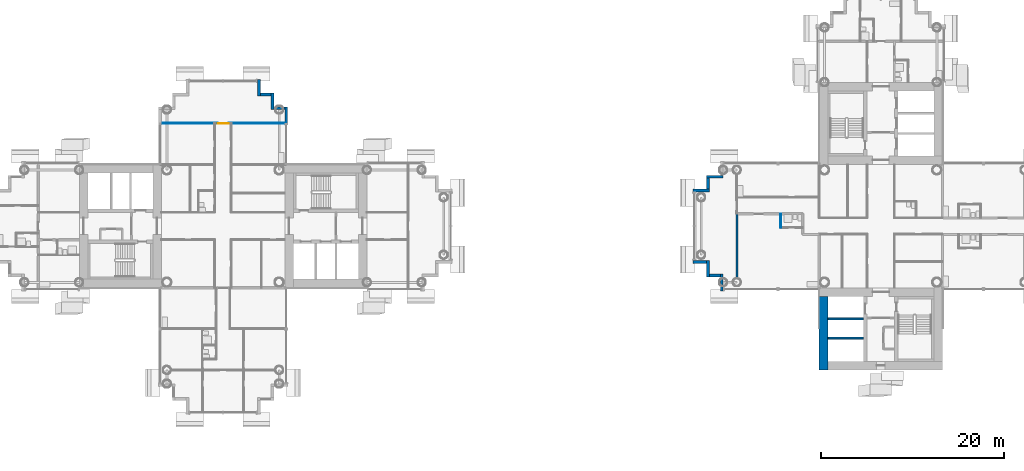
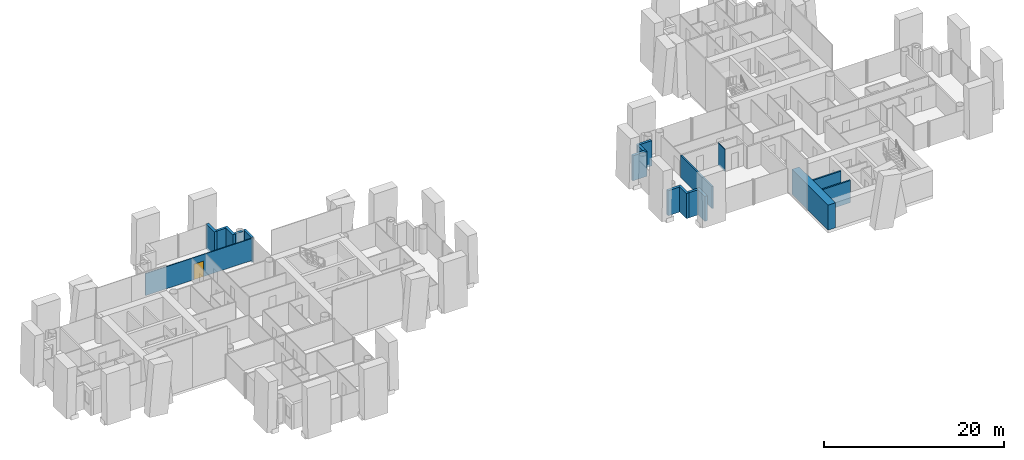
# One storey, part 11 of 21: 18 walls, 1 door, 1 opening.
"""IFC4 building model written with IfcOpenShell, lengths in metres."""

import ifcopenshell
import ifcopenshell.guid

model = None  # the IFC model being written
_history = None  # IfcOwnerHistory: only IFC2X3 demands one
_inside = {}  # id of a spatial element -> (the spatial element, [elements in it])
_under = {}  # id of a project, library or spatial element -> (it, [spatial elements below it])
_declared = {}  # id of a project -> (the project, [libraries it declares])
_typed = {}  # id of a type object -> (the type object, [elements of that type])
_made_of = {}  # id of a material, layer set ... -> (it, [elements and type objects made of it])


def new_model(schema):
    """Start an empty IFC model of exactly this schema.

    Asked for "IFC4X3", IfcOpenShell would pick the latest addendum, in which some entities
    have other attributes; the version numbers below select the first issue.
    IFC2X3 requires an IfcOwnerHistory on every rooted entity: one is made here for all.
    """
    global model, _history
    if schema == "IFC4X3":
        model = ifcopenshell.file(schema_version=(4, 3, 0, 0))
    else:
        model = ifcopenshell.file(schema=schema)
    _inside.clear()
    _under.clear()
    _declared.clear()
    _typed.clear()
    _made_of.clear()
    _history = None
    if model.schema == "IFC2X3":
        org = make("IfcOrganization", Name="unknown")
        user = make(
            "IfcPersonAndOrganization",
            ThePerson=make("IfcPerson", FamilyName="unknown"),
            TheOrganization=org,
        )
        app = make(
            "IfcApplication",
            ApplicationDeveloper=org,
            Version="unknown",
            ApplicationFullName="unknown",
            ApplicationIdentifier="unknown",
        )
        _history = make(
            "IfcOwnerHistory",
            OwningUser=user,
            OwningApplication=app,
            ChangeAction="ADDED",
            CreationDate=0,
        )
    return model


def make(cls, **values):
    """One entity of the class cls with the attributes given. An attribute that is None is left unset."""
    return model.create_entity(
        cls, **{name: value for name, value in values.items() if value is not None}
    )


def rooted(cls, **values):
    """An entity with a GlobalId (a new one), such as an element, a storey or a relation."""
    return make(cls, GlobalId=ifcopenshell.guid.new(), OwnerHistory=_history, **values)


def si_unit(unit_type, name, prefix=None):
    """IfcSIUnit, for example si_unit("LENGTHUNIT", "METRE", prefix="MILLI")."""
    return make("IfcSIUnit", UnitType=unit_type, Prefix=prefix, Name=name)


def assignment(units):
    """IfcUnitAssignment: the units of a project."""
    return None if units is None else make("IfcUnitAssignment", Units=units)


def point(xyz):
    """IfcCartesianPoint."""
    return None if xyz is None else make("IfcCartesianPoint", Coordinates=xyz)


def direction(xyz):
    """IfcDirection."""
    return None if xyz is None else make("IfcDirection", DirectionRatios=xyz)


def frame(location, z_axis=None, x_axis=None):
    """IfcAxis2Placement3D, a coordinate frame: its origin and axes. An axis left out is left unset."""
    return make(
        "IfcAxis2Placement3D",
        Location=point(location),
        Axis=direction(z_axis),
        RefDirection=direction(x_axis),
    )


def frame_2d(location, x_axis=None):
    """IfcAxis2Placement2D, a coordinate frame in the plane: its origin and x axis."""
    return make(
        "IfcAxis2Placement2D", Location=point(location), RefDirection=direction(x_axis)
    )


def origin():
    """The frame at (0, 0, 0) with its axes left unset."""
    return frame((0.0, 0.0, 0.0))


def place(relative_to, where):
    """IfcLocalPlacement: puts the frame where relative to a parent placement (None: the world)."""
    return make(
        "IfcLocalPlacement", PlacementRelTo=relative_to, RelativePlacement=where
    )


def context(
    kind, dimensions, precision=None, world=None, true_north=None, identifier=None
):
    """IfcGeometricRepresentationContext, for example the 3D "Model" context."""
    return make(
        "IfcGeometricRepresentationContext",
        ContextIdentifier=identifier,
        ContextType=kind,
        CoordinateSpaceDimension=dimensions,
        Precision=precision,
        WorldCoordinateSystem=world,
        TrueNorth=true_north,
    )


def subcontext(parent, identifier, kind, view, scale=None):
    """IfcGeometricRepresentationSubContext, for example "Body" below "Model"."""
    return make(
        "IfcGeometricRepresentationSubContext",
        ContextIdentifier=identifier,
        ContextType=kind,
        ParentContext=parent,
        TargetScale=scale,
        TargetView=view,
    )


def project(units=None, contexts=None):
    """IfcProject with its units and contexts."""
    return rooted(
        "IfcProject",
        Name="project",
        RepresentationContexts=contexts,
        UnitsInContext=assignment(units),
    )


def spatial(cls, under=None, at=None, **own):
    """A site, building, storey or space (cls), placed at a placement, below another one or the project."""
    s = rooted(cls, ObjectPlacement=at, **own)
    if under is not None:
        _under.setdefault(under.id(), (under, []))[1].append(s)
    return s


def profile(cls, at=None, kind="AREA", **sizes):
    """A parametric profile (cls). Its sizes go by their IFC names, for example OverallWidth=200.0."""
    return make(cls, ProfileType=kind, Position=at, **sizes)


def rectangle(**sizes):
    """IfcRectangleProfileDef."""
    return profile("IfcRectangleProfileDef", **sizes)


def extrude(swept, where, along, depth):
    """IfcExtrudedAreaSolid: the profile swept, set in the frame where, extruded along a direction by depth."""
    return make(
        "IfcExtrudedAreaSolid",
        SweptArea=swept,
        Position=where,
        ExtrudedDirection=direction(along),
        Depth=depth,
    )


def shape(context_of_items, identifier, shape_type, items):
    """IfcShapeRepresentation: the items that make up one representation, for example the "Body"."""
    return make(
        "IfcShapeRepresentation",
        ContextOfItems=context_of_items,
        RepresentationIdentifier=identifier,
        RepresentationType=shape_type,
        Items=items,
    )


def material(Name=None, Category=None):
    """IfcMaterial."""
    return make("IfcMaterial", Name=Name, Category=Category)


def layer(
    of_material, thickness, ventilated=None, Name=None, Category=None, Priority=None
):
    """IfcMaterialLayer: one layer of a wall or slab, of a material (None: an air gap)."""
    return make(
        "IfcMaterialLayer",
        Material=of_material,
        LayerThickness=thickness,
        IsVentilated=ventilated,
        Name=Name,
        Category=Category,
        Priority=Priority,
    )


def layer_set(layers, Name=None):
    """IfcMaterialLayerSet."""
    return make("IfcMaterialLayerSet", MaterialLayers=layers, LayerSetName=Name)


def made_of(thing, what):
    """Note that an element or type object is made of a material, layer set ...; save() writes the relation."""
    if what is not None:
        _made_of.setdefault(what.id(), (what, []))[1].append(thing)
    return thing


def type_object(cls, material=None, **own):
    """A type object (cls), such as IfcWallType, which elements share."""
    return made_of(rooted(cls, **own), material)


def element(
    cls,
    number,
    at=None,
    inside=None,
    cuts=None,
    type_object=None,
    material=None,
    context=None,
    identifier="Body",
    shape_type=None,
    held_by="IfcProductDefinitionShape",
    body=None,
    shapes=None,
    **own,
):
    """One element of the class cls, such as IfcWall. Its Tag is "e" and its number.

    at: its placement. inside: the storey or other place that contains it. cuts: it is an
    opening in that element (IfcRelVoidsElement). A single representation is given by context,
    identifier, shape_type and body (its items); several are given by shapes. held_by: the class
    of the entity that holds the representations. save() writes the other relations.
    """
    e = rooted(cls, Tag="e%d" % number, ObjectPlacement=at, **own)
    if body is not None:
        shapes = [shape(context, identifier, shape_type, body)]
    if shapes is not None:
        e.Representation = make(held_by, Representations=shapes)
    if inside is not None:
        _inside.setdefault(inside.id(), (inside, []))[1].append(e)
    if cuts is not None:
        rooted(
            "IfcRelVoidsElement", RelatingBuildingElement=cuts, RelatedOpeningElement=e
        )
    if type_object is not None:
        _typed.setdefault(type_object.id(), (type_object, []))[1].append(e)
    return made_of(e, material)


def fill(opening, filler):
    """IfcRelFillsElement: the door or window that sits in an opening."""
    return rooted(
        "IfcRelFillsElement",
        RelatingOpeningElement=opening,
        RelatedBuildingElement=filler,
    )


def aggregate(whole, parts):
    """IfcRelAggregates: a whole, such as a stair, and the parts it consists of."""
    return rooted("IfcRelAggregates", RelatingObject=whole, RelatedObjects=parts)


def save(model, path):
    """Write the relations noted so far, then the file.

    IfcRelAggregates (storeys below a building ...), IfcRelContainedInSpatialStructure (elements
    in a storey), IfcRelDefinesByType, IfcRelAssociatesMaterial and IfcRelDeclares: one each for
    every whole, place, type object, material and project.
    """
    for whole, parts in _under.values():
        aggregate(whole, parts)
    for where, things in _inside.values():
        rooted(
            "IfcRelContainedInSpatialStructure",
            RelatedElements=things,
            RelatingStructure=where,
        )
    for kind, things in _typed.values():
        rooted("IfcRelDefinesByType", RelatedObjects=things, RelatingType=kind)
    for what, things in _made_of.values():
        rooted("IfcRelAssociatesMaterial", RelatedObjects=things, RelatingMaterial=what)
    for by, libraries in _declared.values():
        rooted("IfcRelDeclares", RelatingContext=by, RelatedDefinitions=libraries)
    model.write(path)


model = new_model("IFC4")

# Units and contexts
model_context = context("Model", 3, precision=1e-05, world=origin(), true_north=direction((0.0, 1.0)))
body_context = subcontext(model_context, "Body", "Model", "MODEL_VIEW")
ifc_project = project(units=[si_unit("LENGTHUNIT", "METRE"), si_unit("AREAUNIT", "SQUARE_METRE"), si_unit("VOLUMEUNIT", "CUBIC_METRE"), si_unit("PLANEANGLEUNIT", "RADIAN"), si_unit("MASSUNIT", "GRAM", prefix="KILO")], contexts=[model_context])

# Site, building, storey
site_placement = place(None, origin())
site = spatial("IfcSite", under=ifc_project, at=site_placement, CompositionType="ELEMENT")
building_placement = place(site_placement, origin())
building = spatial("IfcBuilding", under=site, at=building_placement, Name="Ipe Terrace Towers", CompositionType="ELEMENT")
storey_placement = place(building_placement, frame((0.0, 0.0, 93.60009765625)))
storey = spatial("IfcBuildingStorey", under=building, at=storey_placement, Name="L25", CompositionType="ELEMENT", Elevation=93.60009765625)

# Walls
ifc_material_1 = material(Name="Concrete C40/50 with buff precast cladding", Category="concrete")
ifc_layer_1 = layer(ifc_material_1, 0.320068359375)
ifc_layer_set_1 = layer_set([ifc_layer_1], Name="BUFF CLADDING WALL 320")
wall_type_1 = type_object("IfcWallType", Name="BUFF CLADDING WALL 320", PredefinedType="STANDARD", material=ifc_layer_set_1)
wall_1_placement = place(storey_placement, frame((-29.090087890625, 11.25, -0.300048828125), z_axis=(0.0, 0.0, 1.0), x_axis=(0.0, 1.0, 0.0)))
element("IfcWall", 1, at=wall_1_placement, inside=storey, type_object=wall_type_1, Name="T1-W-L25-33a wall", PredefinedType="STANDARD", context=body_context, shape_type="SweptSolid", body=[
    extrude(rectangle(XDim=1.820068359375, YDim=0.320068359375, at=frame_2d((0.91015625, 0.0))), origin(), (0.0, 0.0, 1.0), 3.39990234375),
])
wall_2_placement = place(storey_placement, frame((-29.25, 12.909912109375, -0.300048828125), z_axis=(0.0, 0.0, 1.0), x_axis=(-1.0, 0.0, 0.0)))
element("IfcWall", 2, at=wall_2_placement, inside=storey, type_object=wall_type_1, Name="T1-W-L25-34a wall", PredefinedType="STANDARD", context=body_context, shape_type="SweptSolid", body=[
    extrude(rectangle(XDim=1.179931640625, YDim=0.320068359375, at=frame_2d((0.58984375, 0.0))), origin(), (0.0, 0.0, 1.0), 3.39990234375),
])
wall_3_placement = place(storey_placement, frame((-30.590087890625, 12.75, -0.300048828125), z_axis=(0.0, 0.0, 1.0), x_axis=(0.0, 1.0, 0.0)))
element("IfcWall", 3, at=wall_3_placement, inside=storey, type_object=wall_type_1, Name="T1-W-L25-35a wall", PredefinedType="STANDARD", context=body_context, shape_type="SweptSolid", body=[
    extrude(rectangle(XDim=1.820068359375, YDim=0.320068359375, at=frame_2d((0.91015625, 0.0))), origin(), (0.0, 0.0, 1.0), 3.39990234375),
])
wall_4_placement = place(storey_placement, frame((-30.75, 14.409912109375, -0.300048828125), z_axis=(0.0, 0.0, 1.0), x_axis=(-1.0, 0.0, 0.0)))
element("IfcWall", 4, at=wall_4_placement, inside=storey, type_object=wall_type_1, Name="T1-W-L25-36a wall", PredefinedType="STANDARD", context=body_context, shape_type="SweptSolid", body=[
    extrude(rectangle(XDim=1.179931640625, YDim=0.320068359375, at=frame_2d((0.58984375, 0.0))), origin(), (0.0, 0.0, 1.0), 3.39990234375),
])
for number, where, z_axis, x_axis, name in (
    (5, (-32.090087890625, 14.25, -0.300048828125), (0.0, 0.0, 1.0), (0.0, 1.0, 0.0), "T1-W-L25-37a wall"),
    (6, (18.75, 5.409912109375, -0.300048828125), (0.0, 0.0, 1.0), (-1.0, 0.0, 0.0), "T2-W-L25-31a wall"),
):
    element("IfcWall", number, at=place(storey_placement, frame(where, z_axis=z_axis, x_axis=x_axis)), inside=storey, type_object=wall_type_1, Name=name, PredefinedType="STANDARD", context=body_context, shape_type="SweptSolid", body=[
        extrude(rectangle(XDim=1.820068359375, YDim=0.320068359375, at=frame_2d((0.91015625, 0.0))), origin(), (0.0, 0.0, 1.0), 3.39990234375),
    ])
wall_5_placement = place(storey_placement, frame((17.090087890625, 5.25, -0.300048828125), z_axis=(0.0, 0.0, 1.0), x_axis=(0.0, -1.0, 0.0)))
element("IfcWall", 7, at=wall_5_placement, inside=storey, type_object=wall_type_1, Name="T2-W-L25-32a wall", PredefinedType="STANDARD", context=body_context, shape_type="SweptSolid", body=[
    extrude(rectangle(XDim=1.179931640625, YDim=0.320068359375, at=frame_2d((0.58984375, 0.0))), origin(), (0.0, 0.0, 1.0), 3.39990234375),
])
wall_6_placement = place(storey_placement, frame((17.25, 3.909912109375, -0.300048828125), z_axis=(0.0, 0.0, 1.0), x_axis=(-1.0, 0.0, 0.0)))
element("IfcWall", 8, at=wall_6_placement, inside=storey, type_object=wall_type_1, Name="T2-W-L25-33a wall", PredefinedType="STANDARD", context=body_context, shape_type="SweptSolid", body=[
    extrude(rectangle(XDim=1.820068359375, YDim=0.320068359375, at=frame_2d((0.91015625, 0.0))), origin(), (0.0, 0.0, 1.0), 3.39990234375),
])
wall_7_placement = place(storey_placement, frame((15.429931640625, -3.909912109375, -0.300048828125), z_axis=(0.0, 0.0, 1.0), x_axis=(1.0, 0.0, 0.0)))
element("IfcWall", 9, at=wall_7_placement, inside=storey, type_object=wall_type_1, Name="T2-W-L25-35a wall", PredefinedType="STANDARD", context=body_context, shape_type="SweptSolid", body=[
    extrude(rectangle(XDim=1.5, YDim=0.320068359375, at=frame_2d((0.75, 0.0))), origin(), (0.0, 0.0, 1.0), 3.39990234375),
])
wall_8_placement = place(storey_placement, frame((17.090087890625, -3.75, -0.300048828125), z_axis=(0.0, 0.0, 1.0), x_axis=(0.0, -1.0, 0.0)))
element("IfcWall", 10, at=wall_8_placement, inside=storey, type_object=wall_type_1, Name="T2-W-L25-36a wall", PredefinedType="STANDARD", context=body_context, shape_type="SweptSolid", body=[
    extrude(rectangle(XDim=1.820068359375, YDim=0.320068359375, at=frame_2d((0.91015625, 0.0))), origin(), (0.0, 0.0, 1.0), 3.39990234375),
])
wall_9_placement = place(storey_placement, frame((17.25, -5.409912109375, -0.300048828125), z_axis=(0.0, 0.0, 1.0), x_axis=(1.0, 0.0, 0.0)))
element("IfcWall", 11, at=wall_9_placement, inside=storey, type_object=wall_type_1, Name="T2-W-L25-37a wall", PredefinedType="STANDARD", context=body_context, shape_type="SweptSolid", body=[
    extrude(rectangle(XDim=1.179931640625, YDim=0.320068359375, at=frame_2d((0.58984375, 0.0))), origin(), (0.0, 0.0, 1.0), 3.39990234375),
])
wall_10_placement = place(storey_placement, frame((18.590087890625, -5.25, -0.300048828125), z_axis=(0.0, 0.0, 1.0), x_axis=(0.0, -1.0, 0.0)))
element("IfcWall", 12, at=wall_10_placement, inside=storey, type_object=wall_type_1, Name="T2-W-L25-38a wall", PredefinedType="STANDARD", context=body_context, shape_type="SweptSolid", body=[
    extrude(rectangle(XDim=1.820068359375, YDim=0.320068359375, at=frame_2d((0.91015625, 0.0))), origin(), (0.0, 0.0, 1.0), 3.39990234375),
])

# Wall, opening, door
ifc_material_2 = material(Name="Gypsum board partition", Category="plasterboard")
ifc_layer_2 = layer(ifc_material_2, 0.10009765625)
ifc_layer_set_2 = layer_set([ifc_layer_2], Name="Gypsum board partition 100 mm")
wall_type_2 = type_object("IfcWallType", Name="Gypsum board partition 100 mm", PredefinedType="PARTITIONING", material=ifc_layer_set_2)
wall_11_placement = place(storey_placement, frame((-42.85009765625, 11.25, 0.0), z_axis=(0.0, 0.0, 1.0), x_axis=(1.0, 0.0, 0.0)))
wall_11 = element("IfcWall", 13, at=wall_11_placement, inside=storey, type_object=wall_type_2, Name="Gypsum board partition T1 L25 W38", PredefinedType="PARTITIONING", context=body_context, shape_type="SweptSolid", body=[
    extrude(rectangle(XDim=13.7001953125, YDim=0.10009765625, at=frame_2d((6.85009765625, 0.0))), origin(), (0.0, 0.0, 1.0), 3.0),
])
opening_placement = place(wall_11_placement, frame((6.25, 0.0, 0.0)))
opening = element("IfcOpeningElement", 14, at=opening_placement, cuts=wall_11, Name="Opening T1-Z2C-11", PredefinedType="OPENING", context=body_context, shape_type="SweptSolid", body=[
    extrude(rectangle(XDim=1.199951171875, YDim=2.10009765625, at=frame_2d((0.60009765625, 1.050048828125))), frame((0.0, 0.06005859375, 0.0), z_axis=(0.0, -1.0, 0.0), x_axis=(1.0, 0.0, 0.0)), (0.0, 0.0, 1.0), 0.1201171875),
])
ifc_material_3 = material(Name="Timber door leaf", Category="wood")
door_type = type_object("IfcDoorType", Name="Lounge door 1200 x 2100", OperationType="NOTDEFINED", PredefinedType="DOOR", material=ifc_material_3)
door_placement = place(opening_placement, origin())
door = element("IfcDoor", 15, at=door_placement, inside=storey, type_object=door_type, Name="Lounge door T1-Z2C-11", OperationType="SINGLE_SWING_LEFT", OverallHeight=2.10009765625, OverallWidth=1.199951171875, PredefinedType="DOOR", context=body_context, shape_type="SweptSolid", body=[
    extrude(rectangle(XDim=1.199951171875, YDim=2.10009765625, at=frame_2d((0.60009765625, 1.050048828125))), frame((0.0, 0.02490234375, 0.0), z_axis=(0.0, -1.0, 0.0), x_axis=(1.0, 0.0, 0.0)), (0.0, 0.0, 1.0), 0.050048828125),
])
fill(opening, door)

# Walls
wall_12_placement = place(storey_placement, frame((25.050048828125, -0.14990234375, 0.0), z_axis=(0.0, 0.0, 1.0), x_axis=(0.0, 1.0, 0.0)))
element("IfcWall", 16, at=wall_12_placement, inside=storey, type_object=wall_type_2, Name="Gypsum board partition T2 L25 W43", PredefinedType="PARTITIONING", context=body_context, shape_type="SweptSolid", body=[
    extrude(rectangle(XDim=1.5, YDim=0.10009765625, at=frame_2d((0.75, 0.0))), origin(), (0.0, 0.0, 1.0), 3.0),
])
ifc_material_4 = material(Name="Gypsum board party wall", Category="plasterboard")
ifc_layer_3 = layer(ifc_material_4, 0.199951171875)
ifc_layer_set_3 = layer_set([ifc_layer_3], Name="Gypsum board party wall 200 mm")
wall_type_3 = type_object("IfcWallType", Name="Gypsum board party wall 200 mm", PredefinedType="SOLIDWALL", material=ifc_layer_set_3)
for number, where, z_axis, x_axis, name in (
    (17, (30.199951171875, -10.14990234375, 0.0), (0.0, 0.0, 1.0), (1.0, 0.0, 0.0), "Gypsum board party wall T2 L25 t2c2-shaft-div1"),
    (18, (30.199951171875, -12.25, 0.0), (0.0, 0.0, 1.0), (1.0, 0.0, 0.0), "Gypsum board party wall T2 L25 t2c2-shaft-div2"),
):
    element("IfcWall", number, at=place(storey_placement, frame(where, z_axis=z_axis, x_axis=x_axis)), inside=storey, type_object=wall_type_3, Name=name, PredefinedType="SOLIDWALL", context=body_context, shape_type="SweptSolid", body=[
        extrude(rectangle(XDim=3.900146484375, YDim=0.199951171875, at=frame_2d((1.9501953125, 0.0))), origin(), (0.0, 0.0, 1.0), 3.0),
    ])
wall_13_placement = place(storey_placement, frame((20.25, -5.699951171875, 0.0), z_axis=(0.0, 0.0, 1.0), x_axis=(0.0, 1.0, 0.0)))
element("IfcWall", 19, at=wall_13_placement, inside=storey, type_object=wall_type_3, Name="Gypsum board party wall T2 L25 W45", PredefinedType="SOLIDWALL", context=body_context, shape_type="SweptSolid", body=[
    extrude(rectangle(XDim=7.050048828125, YDim=0.199951171875, at=frame_2d((3.52490234375, 0.0))), origin(), (0.0, 0.0, 1.0), 3.0),
])
ifc_material_5 = material(Name="Concrete C50/60", Category="concrete")
ifc_layer_4 = layer(ifc_material_5, 0.949951171875)
ifc_layer_set_4 = layer_set([ifc_layer_4], Name="RW950 CORE WALL 950 C50-60")
wall_type_4 = type_object("IfcWallType", Name="RW950 CORE WALL 950 C50-60", PredefinedType="SHEAR", material=ifc_layer_set_4)
wall_14_placement = place(storey_placement, frame((29.72509765625, -7.699951171875, 0.0), z_axis=(0.0, 0.0, 1.0), x_axis=(0.0, -1.0, 0.0)))
element("IfcWall", 20, at=wall_14_placement, inside=storey, type_object=wall_type_4, Name="Core wall T2-C2-Z2-W04", PredefinedType="SHEAR", context=body_context, shape_type="SweptSolid", body=[
    extrude(rectangle(XDim=8.050048828125, YDim=0.949951171875, at=frame_2d((4.02490234375, 0.0))), origin(), (0.0, 0.0, 1.0), 3.39990234375),
])

save(model, "model.ifc")
